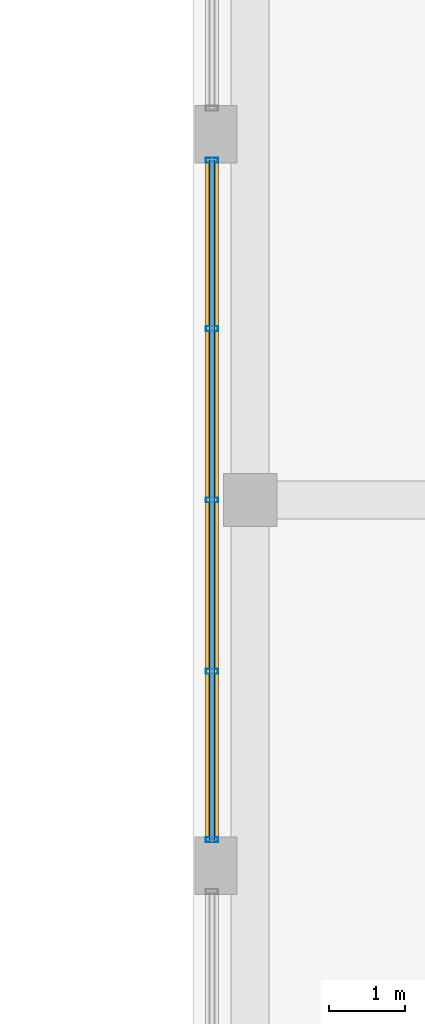
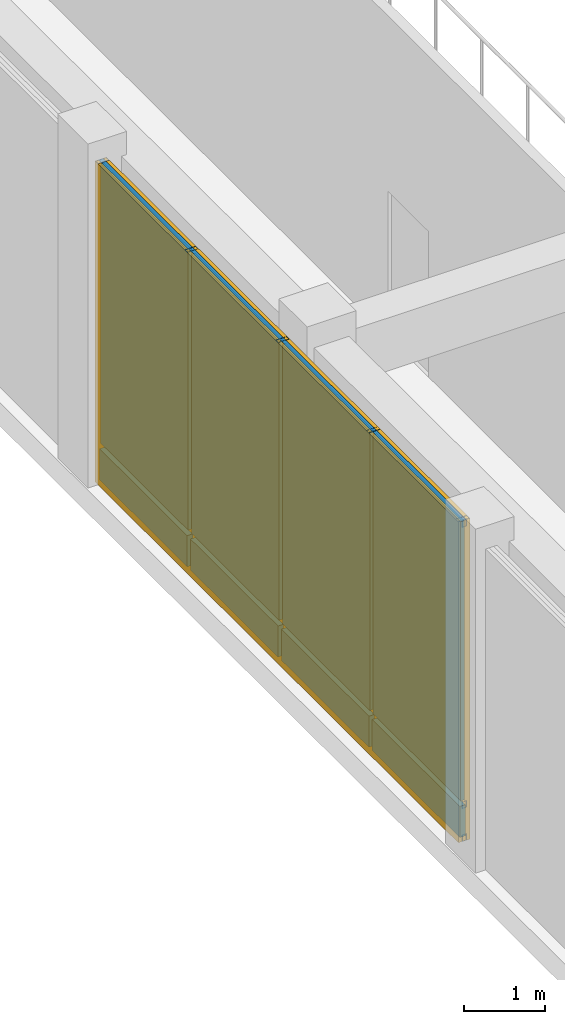
# One storey, part 14 of 22: 8 members, 8 plates, 1 curtain wall.
"""IFC4 building model written with IfcOpenShell, lengths in metres."""

from ifc_helpers import new_model, si_unit, direction, frame, frame_2d, origin, origin_2d, place, context, subcontext, project, spatial, rectangle, hollow_rectangle, extrude, material, layer, layer_set, material_profile, profile_set, type_object, element, aggregate, save


model = new_model("IFC4")

# Units and contexts
model_context = context("Model", 3, precision=1e-05, world=origin(), true_north=direction((0.0, 1.0)))
body_context = subcontext(model_context, "Body", "Model", "MODEL_VIEW")
ifc_project = project(units=[si_unit("LENGTHUNIT", "METRE"), si_unit("AREAUNIT", "SQUARE_METRE"), si_unit("VOLUMEUNIT", "CUBIC_METRE"), si_unit("PLANEANGLEUNIT", "RADIAN"), si_unit("MASSUNIT", "GRAM", prefix="KILO")], contexts=[model_context])

# Member
ifc_material_1 = material(Name="Anodized Aluminium 6063-T6", Category="aluminium")
ifc_material_profile_1 = material_profile(ifc_material_1, hollow_rectangle(XDim=0.06494140625, YDim=0.159912109375, WallThickness=0.00390625, at=origin_2d()), Name="Anodized Aluminium 6063-T6")
ifc_profile_set_1 = profile_set([ifc_material_profile_1], Name="Anodized Aluminium 6063-T6")
member_type_1 = type_object("IfcMemberType", Name="Curtain Wall Mullion 160", PredefinedType="MULLION", material=ifc_profile_set_1)
site_placement = place(None, origin())
building_placement = place(site_placement, origin())
storey_placement = place(building_placement, frame((0.0, 0.0, 5.199951171875)))
member_1_placement = place(storey_placement, frame((85.449951171875, 14.739990234375, 0.0), z_axis=(0.0, 0.0, 1.0), x_axis=(0.0, 1.0, 0.0)))
member_1 = element("IfcMember", 1, at=member_1_placement, type_object=member_type_1, Name="Curtain Wall Mullion CW-L01-LCOL-2-M01", PredefinedType="MULLION", context=body_context, shape_type="SweptSolid", body=[
    extrude(hollow_rectangle(XDim=0.06494140625, YDim=0.159912109375, WallThickness=0.00390625, at=origin_2d()), origin(), (0.0, 0.0, 1.0), 4.85009765625),
])

member_2_placement = place(storey_placement, frame((85.449951171875, 16.949951171875, 0.0), z_axis=(0.0, 0.0, 1.0), x_axis=(0.0, 1.0, 0.0)))
member_2 = element("IfcMember", 2, at=member_2_placement, type_object=member_type_1, Name="Curtain Wall Mullion CW-L01-LCOL-2-M02", PredefinedType="MULLION", context=body_context, shape_type="SweptSolid", body=[
    extrude(hollow_rectangle(XDim=0.06494140625, YDim=0.159912109375, WallThickness=0.00390625, at=origin_2d()), origin(), (0.0, 0.0, 1.0), 4.85009765625),
])

member_3_placement = place(storey_placement, frame((85.449951171875, 19.199951171875, 0.0), z_axis=(0.0, 0.0, 1.0), x_axis=(0.0, 1.0, 0.0)))
member_3 = element("IfcMember", 3, at=member_3_placement, type_object=member_type_1, Name="Curtain Wall Mullion CW-L01-LCOL-2-M03", PredefinedType="MULLION", context=body_context, shape_type="SweptSolid", body=[
    extrude(hollow_rectangle(XDim=0.06494140625, YDim=0.159912109375, WallThickness=0.00390625, at=origin_2d()), origin(), (0.0, 0.0, 1.0), 4.85009765625),
])

member_4_placement = place(storey_placement, frame((85.449951171875, 21.449951171875, 0.0), z_axis=(0.0, 0.0, 1.0), x_axis=(0.0, 1.0, 0.0)))
member_4 = element("IfcMember", 4, at=member_4_placement, type_object=member_type_1, Name="Curtain Wall Mullion CW-L01-LCOL-2-M04", PredefinedType="MULLION", context=body_context, shape_type="SweptSolid", body=[
    extrude(hollow_rectangle(XDim=0.06494140625, YDim=0.159912109375, WallThickness=0.00390625, at=origin_2d()), origin(), (0.0, 0.0, 1.0), 4.85009765625),
])

member_5_placement = place(storey_placement, frame((85.449951171875, 23.659912109375, 0.0), z_axis=(0.0, 0.0, 1.0), x_axis=(0.0, 1.0, 0.0)))
member_5 = element("IfcMember", 5, at=member_5_placement, type_object=member_type_1, Name="Curtain Wall Mullion CW-L01-LCOL-2-M05", PredefinedType="MULLION", context=body_context, shape_type="SweptSolid", body=[
    extrude(hollow_rectangle(XDim=0.06494140625, YDim=0.159912109375, WallThickness=0.00390625, at=origin_2d()), origin(), (0.0, 0.0, 1.0), 4.85009765625),
])

ifc_material_profile_2 = material_profile(ifc_material_1, hollow_rectangle(XDim=0.06005859375, YDim=0.10009765625, WallThickness=0.0029296875, at=origin_2d()), Name="Anodized Aluminium 6063-T6")
ifc_profile_set_2 = profile_set([ifc_material_profile_2], Name="Anodized Aluminium 6063-T6")
member_type_2 = type_object("IfcMemberType", Name="Curtain Wall Transom 100", PredefinedType="USERDEFINED", material=ifc_profile_set_2)
member_6_placement = place(storey_placement, frame((85.449951171875, 14.699951171875, 0.050048828125), z_axis=(0.0, 1.0, 0.0), x_axis=(-1.0, 0.0, 0.0)))
member_6 = element("IfcMember", 6, at=member_6_placement, type_object=member_type_2, Name="Curtain Wall Transom CW-L01-LCOL-2-T01", ObjectType="TRANSOM", PredefinedType="USERDEFINED", context=body_context, shape_type="SweptSolid", body=[
    extrude(hollow_rectangle(XDim=0.06005859375, YDim=0.10009765625, WallThickness=0.0029296875, at=origin_2d()), origin(), (0.0, 0.0, 1.0), 9.0),
])

member_7_placement = place(storey_placement, frame((85.449951171875, 14.699951171875, 0.550048828125), z_axis=(0.0, 1.0, 0.0), x_axis=(-1.0, 0.0, 0.0)))
member_7 = element("IfcMember", 7, at=member_7_placement, type_object=member_type_2, Name="Curtain Wall Transom CW-L01-LCOL-2-T02", ObjectType="TRANSOM", PredefinedType="USERDEFINED", context=body_context, shape_type="SweptSolid", body=[
    extrude(hollow_rectangle(XDim=0.06005859375, YDim=0.10009765625, WallThickness=0.0029296875, at=origin_2d()), origin(), (0.0, 0.0, 1.0), 9.0),
])

member_8_placement = place(storey_placement, frame((85.449951171875, 14.699951171875, 4.800048828125), z_axis=(0.0, 1.0, 0.0), x_axis=(-1.0, 0.0, 0.0)))
member_8 = element("IfcMember", 8, at=member_8_placement, type_object=member_type_2, Name="Curtain Wall Transom CW-L01-LCOL-2-T03", ObjectType="TRANSOM", PredefinedType="USERDEFINED", context=body_context, shape_type="SweptSolid", body=[
    extrude(hollow_rectangle(XDim=0.06005859375, YDim=0.10009765625, WallThickness=0.0029296875, at=origin_2d()), origin(), (0.0, 0.0, 1.0), 9.0),
])

# Plate
ifc_material_2 = material(Name="Bird-Friendly Fritted Triple Glazing", Category="glass")
ifc_layer_1 = layer(ifc_material_2, 0.052001953125, Name="Bird-Friendly Fritted Triple Glazing")
ifc_layer_set_1 = layer_set([ifc_layer_1], Name="Bird-Friendly Fritted Triple Glazing")
plate_type_1 = type_object("IfcPlateType", Name="Plate CWGlazing 52", PredefinedType="CURTAIN_PANEL", material=ifc_layer_set_1)
plate_1_placement = place(storey_placement, frame((85.449951171875, 15.824951171875, 0.58984375), z_axis=(0.0, 0.0, 1.0), x_axis=(0.0, 1.0, 0.0)))
plate_1 = element("IfcPlate", 9, at=plate_1_placement, type_object=plate_type_1, Name="Vision Glazing Panel CW-L01-LCOL-2-GL01", PredefinedType="CURTAIN_PANEL", context=body_context, shape_type="SweptSolid", body=[
    extrude(rectangle(XDim=2.169921875, YDim=0.052001953125, at=origin_2d()), origin(), (0.0, 0.0, 1.0), 4.219970703125),
])

plate_2_placement = place(storey_placement, frame((85.449951171875, 18.074951171875, 0.58984375), z_axis=(0.0, 0.0, 1.0), x_axis=(0.0, 1.0, 0.0)))
plate_2 = element("IfcPlate", 10, at=plate_2_placement, type_object=plate_type_1, Name="Vision Glazing Panel CW-L01-LCOL-2-GL02", PredefinedType="CURTAIN_PANEL", context=body_context, shape_type="SweptSolid", body=[
    extrude(rectangle(XDim=2.169921875, YDim=0.052001953125, at=origin_2d()), origin(), (0.0, 0.0, 1.0), 4.219970703125),
])

plate_3_placement = place(storey_placement, frame((85.449951171875, 20.324951171875, 0.58984375), z_axis=(0.0, 0.0, 1.0), x_axis=(0.0, 1.0, 0.0)))
plate_3 = element("IfcPlate", 11, at=plate_3_placement, type_object=plate_type_1, Name="Vision Glazing Panel CW-L01-LCOL-2-GL03", PredefinedType="CURTAIN_PANEL", context=body_context, shape_type="SweptSolid", body=[
    extrude(rectangle(XDim=2.169921875, YDim=0.052001953125, at=origin_2d()), origin(), (0.0, 0.0, 1.0), 4.219970703125),
])

plate_4_placement = place(storey_placement, frame((85.449951171875, 22.574951171875, 0.58984375), z_axis=(0.0, 0.0, 1.0), x_axis=(0.0, 1.0, 0.0)))
plate_4 = element("IfcPlate", 12, at=plate_4_placement, type_object=plate_type_1, Name="Vision Glazing Panel CW-L01-LCOL-2-GL04", PredefinedType="CURTAIN_PANEL", context=body_context, shape_type="SweptSolid", body=[
    extrude(rectangle(XDim=2.169921875, YDim=0.052001953125, at=origin_2d()), origin(), (0.0, 0.0, 1.0), 4.219970703125),
])

ifc_material_3 = material(Name="Insulated Aluminium Spandrel Panel", Category="aluminium")
ifc_layer_2 = layer(ifc_material_3, 0.080078125, Name="Insulated Aluminium Spandrel Panel")
ifc_layer_set_2 = layer_set([ifc_layer_2], Name="Insulated Aluminium Spandrel Panel")
plate_type_2 = type_object("IfcPlateType", Name="Plate CWSpandrel 80", PredefinedType="SHEET", material=ifc_layer_set_2)
plate_5_placement = place(storey_placement, frame((85.449951171875, 15.824951171875, 0.0400390625), z_axis=(0.0, 0.0, 1.0), x_axis=(0.0, 1.0, 0.0)))
plate_5 = element("IfcPlate", 13, at=plate_5_placement, type_object=plate_type_2, Name="Spandrel Panel CW-L01-LCOL-2-SP01", PredefinedType="SHEET", context=body_context, shape_type="SweptSolid", body=[
    extrude(rectangle(XDim=2.169921875, YDim=0.080078125, at=origin_2d()), origin(), (0.0, 0.0, 1.0), 0.469970703125),
])

plate_6_placement = place(storey_placement, frame((85.449951171875, 18.074951171875, 0.0400390625), z_axis=(0.0, 0.0, 1.0), x_axis=(0.0, 1.0, 0.0)))
plate_6 = element("IfcPlate", 14, at=plate_6_placement, type_object=plate_type_2, Name="Spandrel Panel CW-L01-LCOL-2-SP02", PredefinedType="SHEET", context=body_context, shape_type="SweptSolid", body=[
    extrude(rectangle(XDim=2.169921875, YDim=0.080078125, at=origin_2d()), origin(), (0.0, 0.0, 1.0), 0.469970703125),
])

plate_7_placement = place(storey_placement, frame((85.449951171875, 20.324951171875, 0.0400390625), z_axis=(0.0, 0.0, 1.0), x_axis=(0.0, 1.0, 0.0)))
plate_7 = element("IfcPlate", 15, at=plate_7_placement, type_object=plate_type_2, Name="Spandrel Panel CW-L01-LCOL-2-SP03", PredefinedType="SHEET", context=body_context, shape_type="SweptSolid", body=[
    extrude(rectangle(XDim=2.169921875, YDim=0.080078125, at=origin_2d()), origin(), (0.0, 0.0, 1.0), 0.469970703125),
])

plate_8_placement = place(storey_placement, frame((85.449951171875, 22.574951171875, 0.0400390625), z_axis=(0.0, 0.0, 1.0), x_axis=(0.0, 1.0, 0.0)))
plate_8 = element("IfcPlate", 16, at=plate_8_placement, type_object=plate_type_2, Name="Spandrel Panel CW-L01-LCOL-2-SP04", PredefinedType="SHEET", context=body_context, shape_type="SweptSolid", body=[
    extrude(rectangle(XDim=2.169921875, YDim=0.080078125, at=origin_2d()), origin(), (0.0, 0.0, 1.0), 0.469970703125),
])

# Site, building, storey
site = spatial("IfcSite", under=ifc_project, at=site_placement, CompositionType="ELEMENT")
building = spatial("IfcBuilding", under=site, at=building_placement, Name="Norrvale University Quadrangle", CompositionType="ELEMENT")
storey = spatial("IfcBuildingStorey", under=building, at=storey_placement, Name="L01", CompositionType="ELEMENT", Elevation=5.199951171875)

# Curtain wall
ifc_material_4 = material(Name="Anodized Aluminium and Triple Glazing", Category="glass")
curtain_wall_type = type_object("IfcCurtainWallType", Name="Curtain Wall System 5 Lib Colonnade", PredefinedType="NOTDEFINED", material=ifc_material_4)
curtain_wall_placement = place(storey_placement, frame((85.449951171875, 14.699951171875, 0.0), z_axis=(0.0, 0.0, 1.0), x_axis=(0.0, 1.0, 0.0)))
curtain_wall = element("IfcCurtainWall", 17, at=curtain_wall_placement, inside=storey, type_object=curtain_wall_type, Name="Curtain Wall CW System 5 Lib Colonnade CW-L01-LCOL-2", PredefinedType="NOTDEFINED", context=body_context, shape_type="SweptSolid", body=[
    extrude(rectangle(XDim=9.0, YDim=0.1650390625, at=frame_2d((4.5, 0.0))), origin(), (0.0, 0.0, 1.0), 4.85009765625),
])

aggregate(curtain_wall, [member_1, member_2, member_3, member_4, member_5, member_6, member_7, member_8, plate_5, plate_1, plate_6, plate_2, plate_7, plate_3, plate_8, plate_4])

save(model, "model.ifc")
